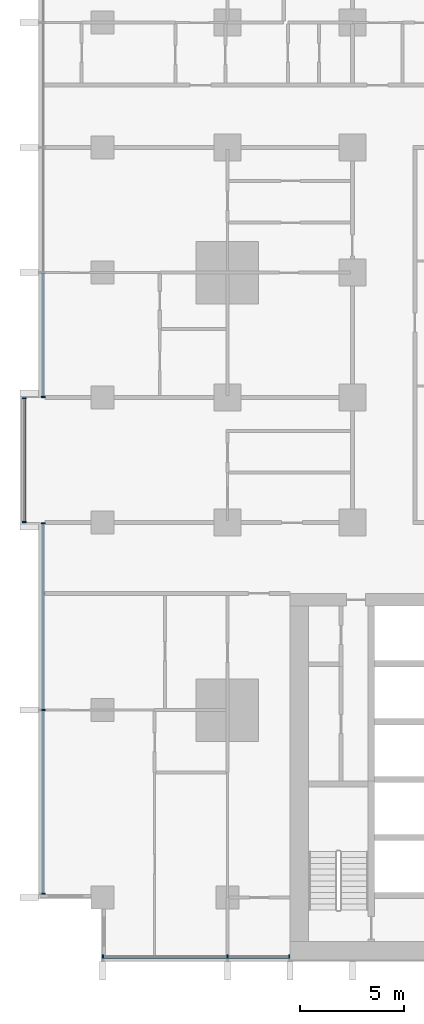
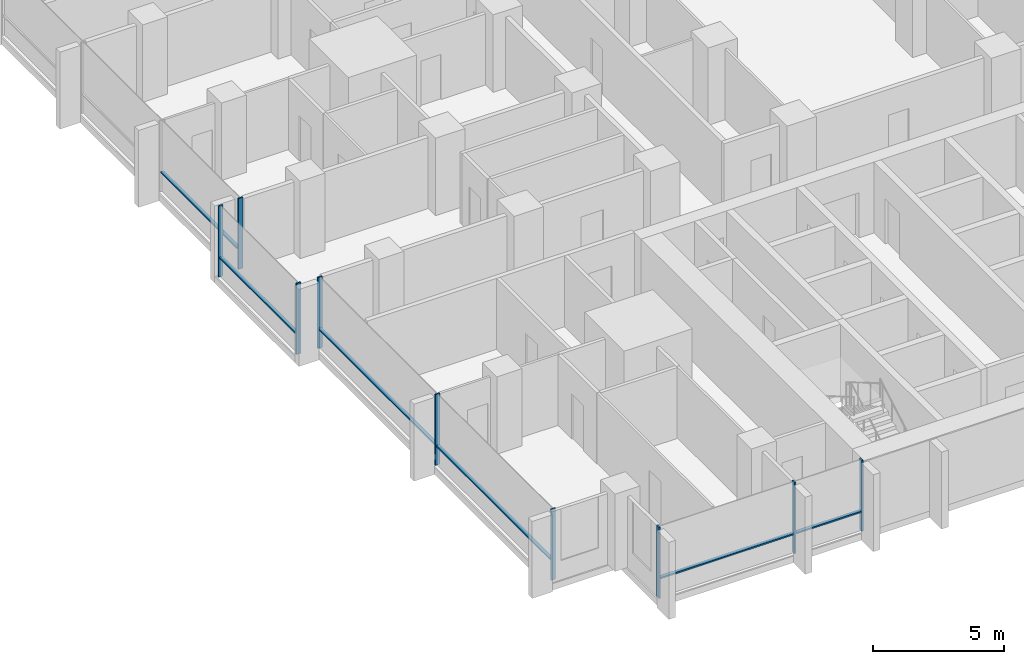
# One storey, part 2 of 18: 15 members, 4 elements without a shape of their own.
"""IFC4 building model written with IfcOpenShell, lengths in metres."""

from ifc_helpers import new_model, si_unit, direction, frame, origin, origin_2d, place, context, subcontext, project, spatial, rectangle, extrude, material, material_profile, profile_set, type_object, element, aggregate, save


model = new_model("IFC4")

# Units and contexts
model_context = context("Model", 3, precision=1e-05, world=origin(), true_north=direction((0.0, 1.0)))
body_context = subcontext(model_context, "Body", "Model", "MODEL_VIEW")
ifc_project = project(units=[si_unit("LENGTHUNIT", "METRE"), si_unit("AREAUNIT", "SQUARE_METRE"), si_unit("VOLUMEUNIT", "CUBIC_METRE"), si_unit("PLANEANGLEUNIT", "RADIAN"), si_unit("MASSUNIT", "GRAM", prefix="KILO")], contexts=[model_context])

# Site, building, storey
site_placement = place(None, origin())
site = spatial("IfcSite", under=ifc_project, at=site_placement, CompositionType="ELEMENT")
building_placement = place(site_placement, origin())
building = spatial("IfcBuilding", under=site, at=building_placement, Name="Finial Court Residences", CompositionType="ELEMENT")
storey_placement = place(building_placement, frame((0.0, 0.0, 46.89990234375)))
storey = spatial("IfcBuildingStorey", under=building, at=storey_placement, Name="L10", CompositionType="ELEMENT", Elevation=46.89990234375)

# Curtain wall, members
ifc_material = material(Name="Bronze anodised aluminium", Category="aluminium")
curtain_wall_type = type_object("IfcCurtainWallType", Name="Unitised curtain wall, lower and middle zones", PredefinedType="NOTDEFINED", material=ifc_material)
curtain_wall_1_placement = place(storey_placement, origin())
curtain_wall_1 = element("IfcCurtainWall", 1, at=curtain_wall_1_placement, inside=storey, type_object=curtain_wall_type, Name="E-L10-CW-S8", PredefinedType="NOTDEFINED")
ifc_material_profile_1 = material_profile(ifc_material, rectangle(XDim=0.199951171875, YDim=0.06494140625, at=origin_2d()), Name="CW1 mullion 65 x 200")
ifc_profile_set_1 = profile_set([ifc_material_profile_1], Name="Bronze anodised aluminium")
member_type_1 = type_object("IfcMemberType", Name="CW1 mullion 65 x 200", PredefinedType="MULLION", material=ifc_profile_set_1)
member_1_placement = place(storey_placement, frame((-22.467529296875, -25.35009765625, 0.0), z_axis=(0.0, 0.0, 1.0), x_axis=(0.0, 1.0, 0.0)))
member_1 = element("IfcMember", 2, at=member_1_placement, type_object=member_type_1, Name="CW1 mullion 1", PredefinedType="MULLION", context=body_context, shape_type="SweptSolid", body=[
    extrude(rectangle(XDim=0.199951171875, YDim=0.06494140625, at=origin_2d()), origin(), (0.0, 0.0, 1.0), 3.300048828125),
])
member_2_placement = place(storey_placement, frame((-16.5, -25.35009765625, 0.0), z_axis=(0.0, 0.0, 1.0), x_axis=(0.0, 1.0, 0.0)))
member_2 = element("IfcMember", 3, at=member_2_placement, type_object=member_type_1, Name="CW1 mullion 2", PredefinedType="MULLION", context=body_context, shape_type="SweptSolid", body=[
    extrude(rectangle(XDim=0.199951171875, YDim=0.06494140625, at=origin_2d()), origin(), (0.0, 0.0, 1.0), 3.300048828125),
])
member_3_placement = place(storey_placement, frame((-13.532470703125, -25.35009765625, 0.0), z_axis=(0.0, 0.0, 1.0), x_axis=(0.0, 1.0, 0.0)))
member_3 = element("IfcMember", 4, at=member_3_placement, type_object=member_type_1, Name="CW1 mullion 3", PredefinedType="MULLION", context=body_context, shape_type="SweptSolid", body=[
    extrude(rectangle(XDim=0.199951171875, YDim=0.06494140625, at=origin_2d()), origin(), (0.0, 0.0, 1.0), 3.300048828125),
])

curtain_wall_2_placement = place(storey_placement, origin())
curtain_wall_2 = element("IfcCurtainWall", 5, at=curtain_wall_2_placement, inside=storey, type_object=curtain_wall_type, Name="E-L10-CW-W10", PredefinedType="NOTDEFINED")
member_4_placement = place(storey_placement, frame((-25.35009765625, -22.3173828125, 0.0), z_axis=(0.0, 0.0, 1.0), x_axis=(-1.0, 0.0, 0.0)))
member_4 = element("IfcMember", 6, at=member_4_placement, type_object=member_type_1, Name="CW1 mullion 1", PredefinedType="MULLION", context=body_context, shape_type="SweptSolid", body=[
    extrude(rectangle(XDim=0.199951171875, YDim=0.06494140625, at=origin_2d()), origin(), (0.0, 0.0, 1.0), 3.300048828125),
])
member_5_placement = place(storey_placement, frame((-25.35009765625, -13.5, 0.0), z_axis=(0.0, 0.0, 1.0), x_axis=(-1.0, 0.0, 0.0)))
member_5 = element("IfcMember", 7, at=member_5_placement, type_object=member_type_1, Name="CW1 mullion 2", PredefinedType="MULLION", context=body_context, shape_type="SweptSolid", body=[
    extrude(rectangle(XDim=0.199951171875, YDim=0.06494140625, at=origin_2d()), origin(), (0.0, 0.0, 1.0), 3.300048828125),
])
member_6_placement = place(storey_placement, frame((-25.35009765625, -4.532470703125, 0.0), z_axis=(0.0, 0.0, 1.0), x_axis=(-1.0, 0.0, 0.0)))
member_6 = element("IfcMember", 8, at=member_6_placement, type_object=member_type_1, Name="CW1 mullion 3", PredefinedType="MULLION", context=body_context, shape_type="SweptSolid", body=[
    extrude(rectangle(XDim=0.199951171875, YDim=0.06494140625, at=origin_2d()), origin(), (0.0, 0.0, 1.0), 3.300048828125),
])

curtain_wall_3_placement = place(storey_placement, origin())
curtain_wall_3 = element("IfcCurtainWall", 9, at=curtain_wall_3_placement, inside=storey, type_object=curtain_wall_type, Name="E-L10-CW-W11", PredefinedType="NOTDEFINED")
member_7_placement = place(storey_placement, frame((-26.25, -4.467529296875, 0.0), z_axis=(0.0, 0.0, 1.0), x_axis=(-1.0, 0.0, 0.0)))
member_7 = element("IfcMember", 10, at=member_7_placement, type_object=member_type_1, Name="CW1 mullion 1", PredefinedType="MULLION", context=body_context, shape_type="SweptSolid", body=[
    extrude(rectangle(XDim=0.199951171875, YDim=0.06494140625, at=origin_2d()), origin(), (0.0, 0.0, 1.0), 3.300048828125),
])
member_8_placement = place(storey_placement, frame((-26.25, 1.467529296875, 0.0), z_axis=(0.0, 0.0, 1.0), x_axis=(-1.0, 0.0, 0.0)))
member_8 = element("IfcMember", 11, at=member_8_placement, type_object=member_type_1, Name="CW1 mullion 2", PredefinedType="MULLION", context=body_context, shape_type="SweptSolid", body=[
    extrude(rectangle(XDim=0.199951171875, YDim=0.06494140625, at=origin_2d()), origin(), (0.0, 0.0, 1.0), 3.300048828125),
])

# Curtain wall, member
curtain_wall_4_placement = place(storey_placement, origin())
curtain_wall_4 = element("IfcCurtainWall", 12, at=curtain_wall_4_placement, inside=storey, type_object=curtain_wall_type, Name="E-L10-CW-W12", PredefinedType="NOTDEFINED")
member_9_placement = place(storey_placement, frame((-25.35009765625, 1.532470703125, 0.0), z_axis=(0.0, 0.0, 1.0), x_axis=(-1.0, 0.0, 0.0)))
member_9 = element("IfcMember", 13, at=member_9_placement, type_object=member_type_1, Name="CW1 mullion 1", PredefinedType="MULLION", context=body_context, shape_type="SweptSolid", body=[
    extrude(rectangle(XDim=0.199951171875, YDim=0.06494140625, at=origin_2d()), origin(), (0.0, 0.0, 1.0), 3.300048828125),
])

# Member
ifc_material_profile_2 = material_profile(ifc_material, rectangle(XDim=0.14990234375, YDim=0.06494140625, at=origin_2d()), Name="CW1 transom 65 x 150")
ifc_profile_set_2 = profile_set([ifc_material_profile_2], Name="Bronze anodised aluminium")
member_type_2 = type_object("IfcMemberType", Name="CW1 transom 65 x 150", PredefinedType="USERDEFINED", material=ifc_profile_set_2)
member_10_placement = place(storey_placement, frame((-22.43505859375, -25.35009765625, 0.900146484375), z_axis=(1.0, 0.0, 0.0), x_axis=(0.0, 1.0, 0.0)))
member_10 = element("IfcMember", 14, at=member_10_placement, type_object=member_type_2, Name="CW1 transom 1.1", ObjectType="TRANSOM", PredefinedType="USERDEFINED", context=body_context, shape_type="SweptSolid", body=[
    extrude(rectangle(XDim=0.14990234375, YDim=0.06494140625, at=origin_2d()), origin(), (0.0, 0.0, 1.0), 5.902587890625),
])

member_11_placement = place(storey_placement, frame((-16.467529296875, -25.35009765625, 0.900146484375), z_axis=(1.0, 0.0, 0.0), x_axis=(0.0, 1.0, 0.0)))
member_11 = element("IfcMember", 15, at=member_11_placement, type_object=member_type_2, Name="CW1 transom 2.1", ObjectType="TRANSOM", PredefinedType="USERDEFINED", context=body_context, shape_type="SweptSolid", body=[
    extrude(rectangle(XDim=0.14990234375, YDim=0.06494140625, at=origin_2d()), origin(), (0.0, 0.0, 1.0), 2.902587890625),
])

aggregate(curtain_wall_1, [member_1, member_2, member_3, member_10, member_11])

member_12_placement = place(storey_placement, frame((-25.35009765625, -22.284912109375, 0.900146484375), z_axis=(0.0, 1.0, 0.0), x_axis=(-1.0, 0.0, 0.0)))
member_12 = element("IfcMember", 16, at=member_12_placement, type_object=member_type_2, Name="CW1 transom 1.1", ObjectType="TRANSOM", PredefinedType="USERDEFINED", context=body_context, shape_type="SweptSolid", body=[
    extrude(rectangle(XDim=0.14990234375, YDim=0.06494140625, at=origin_2d()), origin(), (0.0, 0.0, 1.0), 8.75244140625),
])

member_13_placement = place(storey_placement, frame((-25.35009765625, -13.467529296875, 0.900146484375), z_axis=(0.0, 1.0, 0.0), x_axis=(-1.0, 0.0, 0.0)))
member_13 = element("IfcMember", 17, at=member_13_placement, type_object=member_type_2, Name="CW1 transom 2.1", ObjectType="TRANSOM", PredefinedType="USERDEFINED", context=body_context, shape_type="SweptSolid", body=[
    extrude(rectangle(XDim=0.14990234375, YDim=0.06494140625, at=origin_2d()), origin(), (0.0, 0.0, 1.0), 8.902587890625),
])

aggregate(curtain_wall_2, [member_4, member_5, member_6, member_12, member_13])

member_14_placement = place(storey_placement, frame((-26.25, -4.43505859375, 0.900146484375), z_axis=(0.0, 1.0, 0.0), x_axis=(-1.0, 0.0, 0.0)))
member_14 = element("IfcMember", 18, at=member_14_placement, type_object=member_type_2, Name="CW1 transom 1.1", ObjectType="TRANSOM", PredefinedType="USERDEFINED", context=body_context, shape_type="SweptSolid", body=[
    extrude(rectangle(XDim=0.14990234375, YDim=0.06494140625, at=origin_2d()), origin(), (0.0, 0.0, 1.0), 5.8701171875),
])

aggregate(curtain_wall_3, [member_7, member_8, member_14])

member_15_placement = place(storey_placement, frame((-25.35009765625, 1.56494140625, 0.900146484375), z_axis=(0.0, 1.0, 0.0), x_axis=(-1.0, 0.0, 0.0)))
member_15 = element("IfcMember", 19, at=member_15_placement, type_object=member_type_2, Name="CW1 transom 1.1", ObjectType="TRANSOM", PredefinedType="USERDEFINED", context=body_context, shape_type="SweptSolid", body=[
    extrude(rectangle(XDim=0.14990234375, YDim=0.06494140625, at=origin_2d()), origin(), (0.0, 0.0, 1.0), 5.902587890625),
])

aggregate(curtain_wall_4, [member_9, member_15])

save(model, "model.ifc")
